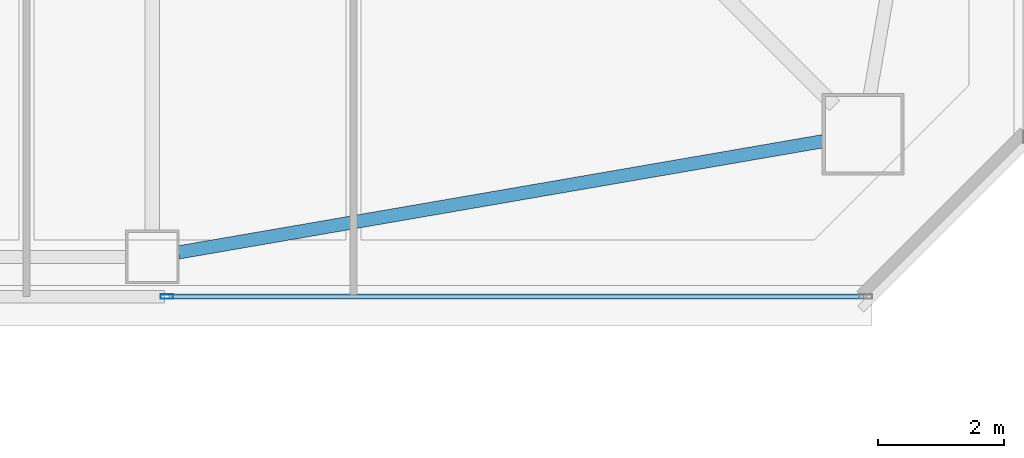
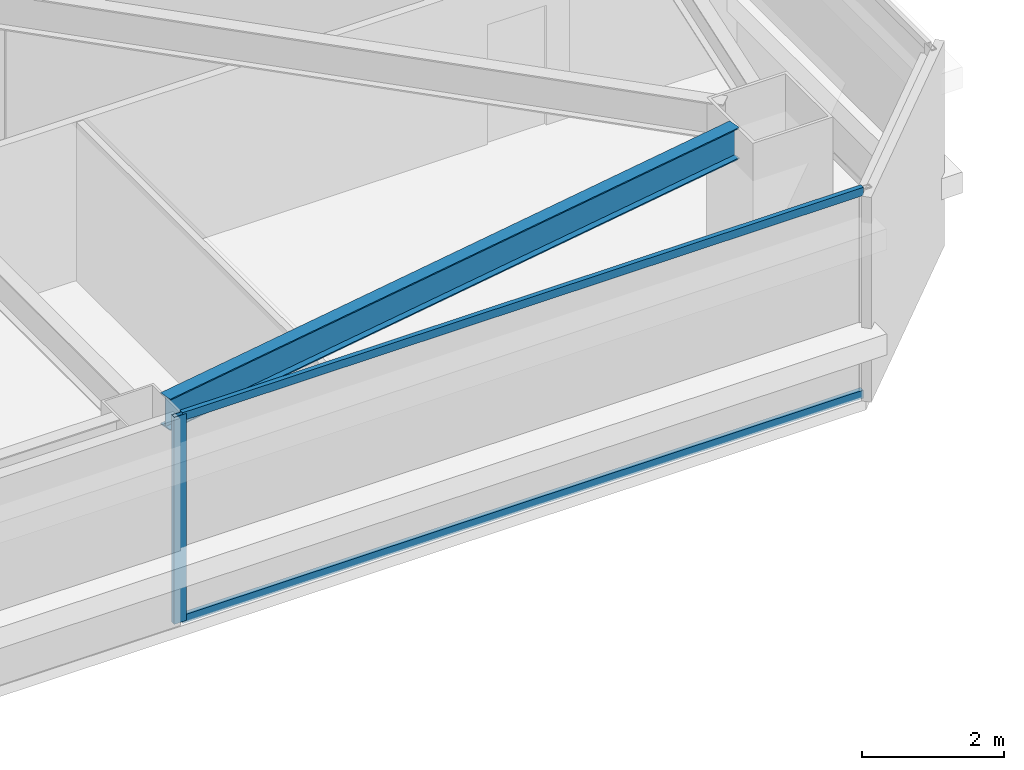
# One storey, part 5 of 41: 3 members, 1 beam, 1 element without a shape of its own.
"""IFC4 building model written with IfcOpenShell, lengths in metres."""

from ifc_helpers import new_model, si_unit, direction, frame, origin, origin_2d, place, context, subcontext, project, spatial, hollow_rectangle, i_section, extrude, material, material_profile, profile_set, type_object, element, aggregate, save


model = new_model("IFC4")

# Units and contexts
model_context = context("Model", 3, precision=1e-05, world=origin(), true_north=direction((0.0, 1.0)))
body_context = subcontext(model_context, "Body", "Model", "MODEL_VIEW")
ifc_project = project(units=[si_unit("LENGTHUNIT", "METRE"), si_unit("AREAUNIT", "SQUARE_METRE"), si_unit("VOLUMEUNIT", "CUBIC_METRE"), si_unit("PLANEANGLEUNIT", "RADIAN"), si_unit("MASSUNIT", "GRAM", prefix="KILO")], contexts=[model_context])

# Site, building, storey
site_placement = place(None, origin())
site = spatial("IfcSite", under=ifc_project, at=site_placement, CompositionType="ELEMENT")
building_placement = place(site_placement, origin())
building = spatial("IfcBuilding", under=site, at=building_placement, Name="Tashvorn Skyway Center", CompositionType="ELEMENT")
storey_placement = place(building_placement, frame((0.0, 0.0, 117.949951171875)))
storey = spatial("IfcBuildingStorey", under=building, at=storey_placement, Name="L31", CompositionType="ELEMENT", Elevation=117.949951171875)

# Beam
ifc_material_1 = material(Name="Steel ASTM A992 Grade 50", Category="steel")
ifc_material_profile_1 = material_profile(ifc_material_1, i_section(OverallWidth=0.2109375, OverallDepth=0.5390625, WebThickness=0.01171875, FlangeThickness=0.018798828125, at=origin_2d()), Name="W21X73")
ifc_profile_set_1 = profile_set([ifc_material_profile_1], Name="Steel ASTM A992 Grade 50")
beam_type = type_object("IfcBeamType", Name="BM-SPANDREL-W21X73", PredefinedType="SPANDREL", material=ifc_profile_set_1)
beam_placement = place(storey_placement, frame((47.81396484375, 13.42138671875, 3.1005859375), z_axis=(0.985432458462, 0.170067250846, 0.0), x_axis=(-0.170067250846, 0.985432458462, 0.0)))
element("IfcBeam", 1, at=beam_placement, inside=storey, type_object=beam_type, Name="Tower 1 L31 Spandrel Beam 03", PredefinedType="SPANDREL", context=body_context, shape_type="SweptSolid", body=[
    extrude(i_section(OverallWidth=0.2109375, OverallDepth=0.5390625, WebThickness=0.01171875, FlangeThickness=0.018798828125, at=origin_2d()), origin(), (0.0, 0.0, 1.0), 10.402099609375),
])

# Curtain wall, members
ifc_material_2 = material(Name="Thermally broken bronze-anodized aluminium 6063-T6", Category="aluminium")
curtain_wall_type = type_object("IfcCurtainWallType", Name="CW-CW-Z3", PredefinedType="NOTDEFINED", material=ifc_material_2)
curtain_wall_placement = place(storey_placement, origin())
curtain_wall = element("IfcCurtainWall", 2, at=curtain_wall_placement, inside=storey, type_object=curtain_wall_type, Name="Tower 1 L31 South Unitised Curtain Wall Glazing Group 1", PredefinedType="NOTDEFINED")
ifc_material_profile_2 = material_profile(ifc_material_2, hollow_rectangle(XDim=0.074951171875, YDim=0.199951171875, WallThickness=0.00439453125, at=origin_2d()), Name="ALU-MULL-75x200")
ifc_profile_set_2 = profile_set([ifc_material_profile_2], Name="Thermally broken bronze-anodized aluminium 6063-T6")
member_type_1 = type_object("IfcMemberType", Name="CWM-CW-Z3", PredefinedType="MULLION", material=ifc_profile_set_2)
member_1_placement = place(storey_placement, frame((47.630859375, 12.719970703125, 0.0), z_axis=(0.0, 0.0, 1.0), x_axis=(0.0, -1.0, 0.0)))
member_1 = element("IfcMember", 3, at=member_1_placement, type_object=member_type_1, Name="CW-Z3 mullion 2", PredefinedType="MULLION", context=body_context, shape_type="SweptSolid", body=[
    extrude(hollow_rectangle(XDim=0.074951171875, YDim=0.199951171875, WallThickness=0.00439453125, at=origin_2d()), origin(), (0.0, 0.0, 1.0), 3.550048828125),
])
ifc_material_profile_3 = material_profile(ifc_material_2, hollow_rectangle(XDim=0.074951171875, YDim=0.139892578125, WallThickness=0.004150390625, at=origin_2d()), Name="ALU-TRAN-75x140")
ifc_profile_set_3 = profile_set([ifc_material_profile_3], Name="Thermally broken bronze-anodized aluminium 6063-T6")
member_type_2 = type_object("IfcMemberType", Name="CWT-CW-Z3", PredefinedType="USERDEFINED", material=ifc_profile_set_3)
member_2_placement = place(storey_placement, frame((58.705078125, 12.719970703125, 0.03759765625), z_axis=(-1.0, 0.0, 0.0), x_axis=(0.0, -1.0, 0.0)))
member_2 = element("IfcMember", 4, at=member_2_placement, type_object=member_type_2, Name="CW-Z3 transom 1.1", ObjectType="TRANSOM", PredefinedType="USERDEFINED", context=body_context, shape_type="SweptSolid", body=[
    extrude(hollow_rectangle(XDim=0.074951171875, YDim=0.139892578125, WallThickness=0.004150390625, at=origin_2d()), origin(), (0.0, 0.0, 1.0), 11.036865234375),
])
member_3_placement = place(storey_placement, frame((58.705078125, 12.719970703125, 3.512451171875), z_axis=(-1.0, 0.0, 0.0), x_axis=(0.0, -1.0, 0.0)))
member_3 = element("IfcMember", 5, at=member_3_placement, type_object=member_type_2, Name="CW-Z3 transom 1.2", ObjectType="TRANSOM", PredefinedType="USERDEFINED", context=body_context, shape_type="SweptSolid", body=[
    extrude(hollow_rectangle(XDim=0.074951171875, YDim=0.139892578125, WallThickness=0.004150390625, at=origin_2d()), origin(), (0.0, 0.0, 1.0), 11.036865234375),
])
aggregate(curtain_wall, [member_1, member_2, member_3])

save(model, "model.ifc")
